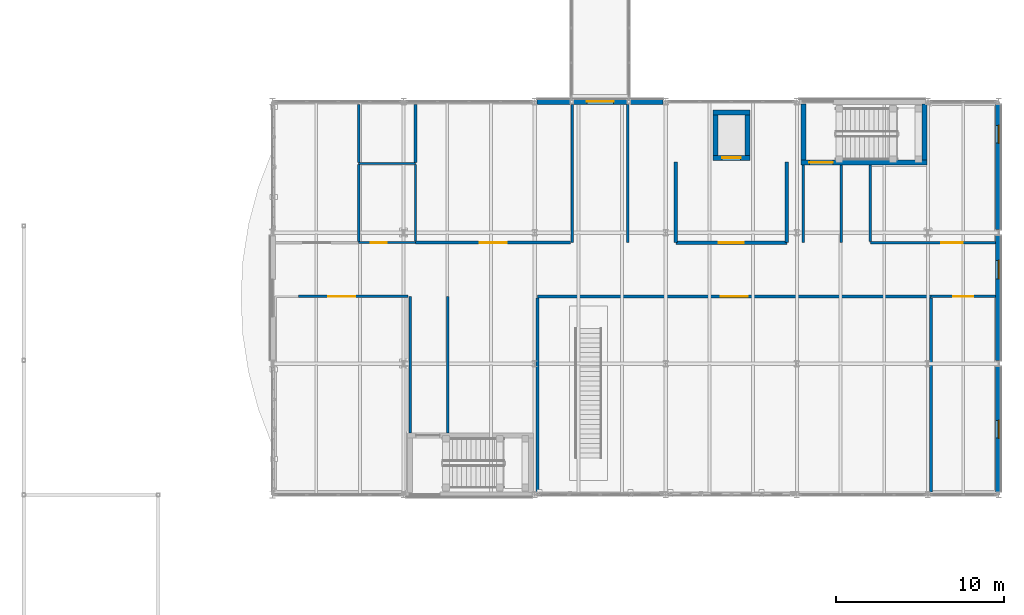
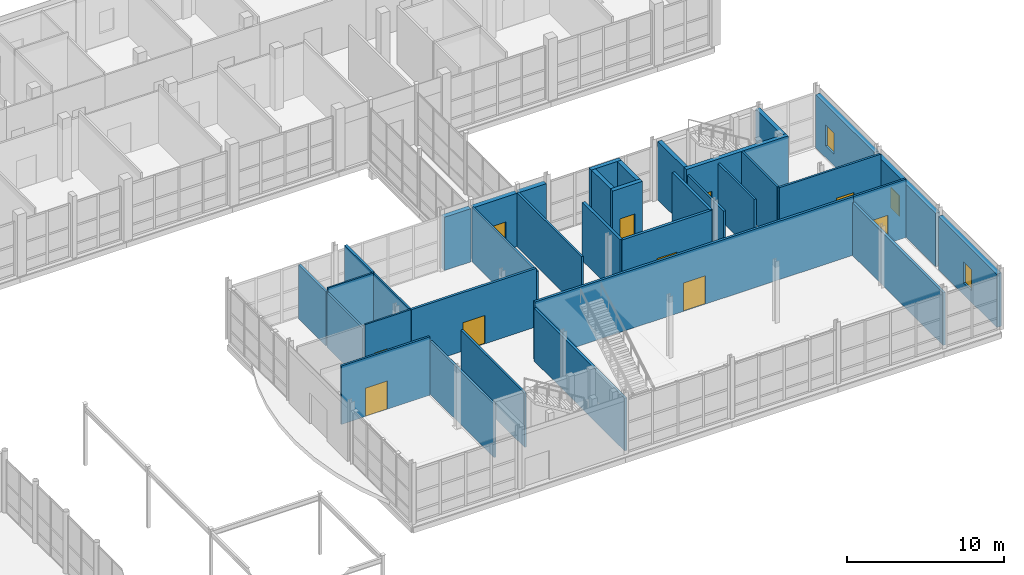
# One storey, part 103 of 131: 36 walls, 10 doors, 3 windows, 13 openings.
"""IFC4 building model written with IfcOpenShell, lengths in metres."""

from ifc_helpers import new_model, si_unit, direction, frame, frame_2d, origin, place, context, subcontext, project, spatial, rectangle, extrude, material, layer, layer_set, type_object, element, fill, save


model = new_model("IFC4")

# Units and contexts
model_context = context("Model", 3, precision=1e-05, world=origin(), true_north=direction((0.0, 1.0)))
body_context = subcontext(model_context, "Body", "Model", "MODEL_VIEW")
ifc_project = project(units=[si_unit("LENGTHUNIT", "METRE"), si_unit("AREAUNIT", "SQUARE_METRE"), si_unit("VOLUMEUNIT", "CUBIC_METRE"), si_unit("PLANEANGLEUNIT", "RADIAN"), si_unit("MASSUNIT", "GRAM", prefix="KILO")], contexts=[model_context])

# Site, building, storey
site_placement = place(None, origin())
site = spatial("IfcSite", under=ifc_project, at=site_placement, CompositionType="ELEMENT")
building_placement = place(site_placement, origin())
building = spatial("IfcBuilding", under=site, at=building_placement, Name="Celorna Specialist Clinic", CompositionType="ELEMENT")
storey_placement = place(building_placement, origin())
storey = spatial("IfcBuildingStorey", under=building, at=storey_placement, Name="L00", CompositionType="ELEMENT", Elevation=0.0)

# Wall
ifc_material_1 = material(Name="Pero Pinheiro Lioz limestone insulated masonry", Category="masonry")
ifc_layer_1 = layer(ifc_material_1, 0.340087890625, Name="Pero Pinheiro Lioz limestone insulated masonry")
ifc_layer_set_1 = layer_set([ifc_layer_1], Name="Pero Pinheiro Lioz limestone insulated masonry")
wall_type_1 = type_object("IfcWallType", Name="WT-07", PredefinedType="STANDARD", material=ifc_layer_set_1)
wall_1_placement = place(storey_placement, frame((140.550048828125, 83.39990234375, 0.0), z_axis=(0.0, 0.0, 1.0), x_axis=(1.0, 0.0, 0.0)))
element("IfcWall", 1, at=wall_1_placement, inside=storey, type_object=wall_type_1, Name="External facade wall WT-07 #142", PredefinedType="STANDARD", context=body_context, shape_type="SweptSolid", body=[
    extrude(rectangle(XDim=1.949951171875, YDim=0.340087890625, at=frame_2d((0.97509765625, 0.0))), origin(), (0.0, 0.0, 1.0), 4.139892578125),
])

# Wall, opening, door
wall_2_placement = place(storey_placement, frame((142.699951171875, 83.39990234375, 0.0), z_axis=(0.0, 0.0, 1.0), x_axis=(1.0, 0.0, 0.0)))
wall_2 = element("IfcWall", 2, at=wall_2_placement, inside=storey, type_object=wall_type_1, Name="External facade wall WT-07 #143", PredefinedType="STANDARD", context=body_context, shape_type="SweptSolid", body=[
    extrude(rectangle(XDim=3.199951171875, YDim=0.340087890625, at=frame_2d((1.60009765625, 0.0))), origin(), (0.0, 0.0, 1.0), 4.139892578125),
])
opening_1_placement = place(wall_2_placement, frame((0.800048828125, 0.0, 0.0)))
opening_1 = element("IfcOpeningElement", 3, at=opening_1_placement, cuts=wall_2, Name="Opening DR-12", PredefinedType="OPENING", context=body_context, shape_type="SweptSolid", body=[
    extrude(rectangle(XDim=1.60009765625, YDim=2.199951171875, at=frame_2d((0.800048828125, 1.10009765625))), frame((0.0, 0.179931640625, 0.0), z_axis=(0.0, -1.0, 0.0), x_axis=(1.0, 0.0, 0.0)), (0.0, 0.0, 1.0), 0.360107421875),
])
ifc_material_2 = material(Name="Corridor cross-compartment pair door")
door_type_1 = type_object("IfcDoorType", Name="DR-12", OperationType="DOUBLE_DOOR_SINGLE_SWING", PredefinedType="DOOR", material=ifc_material_2)
door_1_placement = place(opening_1_placement, origin())
door_1 = element("IfcDoor", 4, at=door_1_placement, inside=storey, type_object=door_type_1, Name="Bridge BR-05 south/west portal door L00", OperationType="DOUBLE_DOOR_SINGLE_SWING", OverallHeight=2.199951171875, OverallWidth=1.60009765625, PredefinedType="DOOR", context=body_context, shape_type="SweptSolid", body=[
    extrude(rectangle(XDim=1.60009765625, YDim=2.199951171875, at=frame_2d((0.800048828125, 1.10009765625))), frame((0.0, 0.02490234375, 0.0), z_axis=(0.0, -1.0, 0.0), x_axis=(1.0, 0.0, 0.0)), (0.0, 0.0, 1.0), 0.050048828125),
])
fill(opening_1, door_1)

# Wall
wall_3_placement = place(storey_placement, frame((146.10009765625, 83.39990234375, 0.0), z_axis=(0.0, 0.0, 1.0), x_axis=(1.0, 0.0, 0.0)))
element("IfcWall", 5, at=wall_3_placement, inside=storey, type_object=wall_type_1, Name="External facade wall WT-07 #144", PredefinedType="STANDARD", context=body_context, shape_type="SweptSolid", body=[
    extrude(rectangle(XDim=1.949951171875, YDim=0.340087890625, at=frame_2d((0.97509765625, 0.0))), origin(), (0.0, 0.0, 1.0), 4.139892578125),
])

# Wall, opening, window
wall_4_placement = place(storey_placement, frame((168.0, 67.6201171875, 0.0), z_axis=(0.0, 0.0, 1.0), x_axis=(0.0, -1.0, 0.0)))
wall_4 = element("IfcWall", 6, at=wall_4_placement, inside=storey, type_object=wall_type_1, Name="External facade wall WT-07 #147", PredefinedType="STANDARD", context=body_context, shape_type="SweptSolid", body=[
    extrude(rectangle(XDim=7.440185546875, YDim=0.340087890625, at=frame_2d((3.72021484375, 0.0))), origin(), (0.0, 0.0, 1.0), 4.139892578125),
])
opening_2_placement = place(wall_4_placement, frame((3.195068359375, 0.0, 0.89990234375)))
opening_2 = element("IfcOpeningElement", 7, at=opening_2_placement, cuts=wall_4, Name="Opening WN-21", PredefinedType="OPENING", context=body_context, shape_type="SweptSolid", body=[
    extrude(rectangle(XDim=1.050048828125, YDim=1.64990234375, at=frame_2d((0.52490234375, 0.824951171875))), frame((0.0, 0.179931640625, 0.0), z_axis=(0.0, -1.0, 0.0), x_axis=(1.0, 0.0, 0.0)), (0.0, 0.0, 1.0), 0.360107421875),
])
ifc_material_3 = material(Name="Thermally broken aluminium triple-glazed window", Category="aluminium")
window_type_1 = type_object("IfcWindowType", Name="WN-21", PartitioningType="SINGLE_PANEL", PredefinedType="WINDOW", material=ifc_material_3)
window_1_placement = place(opening_2_placement, origin())
window_1 = element("IfcWindow", 8, at=window_1_placement, inside=storey, type_object=window_type_1, Name="Facade window WN-21 #51", OverallHeight=1.64990234375, OverallWidth=1.050048828125, PartitioningType="SINGLE_PANEL", PredefinedType="WINDOW", context=body_context, shape_type="SweptSolid", body=[
    extrude(rectangle(XDim=1.050048828125, YDim=1.64990234375, at=frame_2d((0.52490234375, 0.824951171875))), frame((0.0, 0.030029296875, 0.0), z_axis=(0.0, -1.0, 0.0), x_axis=(1.0, 0.0, 0.0)), (0.0, 0.0, 1.0), 0.06005859375),
])
fill(opening_2, window_1)

wall_5_placement = place(storey_placement, frame((168.0, 75.419921875, 0.0), z_axis=(0.0, 0.0, 1.0), x_axis=(0.0, -1.0, 0.0)))
wall_5 = element("IfcWall", 9, at=wall_5_placement, inside=storey, type_object=wall_type_1, Name="External facade wall WT-07 #148", PredefinedType="STANDARD", context=body_context, shape_type="SweptSolid", body=[
    extrude(rectangle(XDim=7.43994140625, YDim=0.340087890625, at=frame_2d((3.719970703125, 0.0))), origin(), (0.0, 0.0, 1.0), 4.139892578125),
])
opening_3_placement = place(wall_5_placement, frame((1.469970703125, 0.0, 0.89990234375)))
opening_3 = element("IfcOpeningElement", 10, at=opening_3_placement, cuts=wall_5, Name="Opening WN-03", PredefinedType="OPENING", context=body_context, shape_type="SweptSolid", body=[
    extrude(rectangle(XDim=1.10009765625, YDim=1.60009765625, at=frame_2d((0.550048828125, 0.800048828125))), frame((0.0, 0.179931640625, 0.0), z_axis=(0.0, -1.0, 0.0), x_axis=(1.0, 0.0, 0.0)), (0.0, 0.0, 1.0), 0.360107421875),
])
window_type_2 = type_object("IfcWindowType", Name="WN-03", PartitioningType="SINGLE_PANEL", PredefinedType="WINDOW", material=ifc_material_3)
window_2_placement = place(opening_3_placement, origin())
window_2 = element("IfcWindow", 11, at=window_2_placement, inside=storey, type_object=window_type_2, Name="Facade window WN-03 #52", OverallHeight=1.60009765625, OverallWidth=1.10009765625, PartitioningType="SINGLE_PANEL", PredefinedType="WINDOW", context=body_context, shape_type="SweptSolid", body=[
    extrude(rectangle(XDim=1.10009765625, YDim=1.60009765625, at=frame_2d((0.550048828125, 0.800048828125))), frame((0.0, 0.030029296875, 0.0), z_axis=(0.0, -1.0, 0.0), x_axis=(1.0, 0.0, 0.0)), (0.0, 0.0, 1.0), 0.06005859375),
])
fill(opening_3, window_2)

wall_6_placement = place(storey_placement, frame((168.0, 83.219970703125, 0.0), z_axis=(0.0, 0.0, 1.0), x_axis=(0.0, -1.0, 0.0)))
wall_6 = element("IfcWall", 12, at=wall_6_placement, inside=storey, type_object=wall_type_1, Name="External facade wall WT-07 #149", PredefinedType="STANDARD", context=body_context, shape_type="SweptSolid", body=[
    extrude(rectangle(XDim=7.43994140625, YDim=0.340087890625, at=frame_2d((3.719970703125, 0.0))), origin(), (0.0, 0.0, 1.0), 4.139892578125),
])
opening_4_placement = place(wall_6_placement, frame((1.2451171875, 0.0, 0.89990234375)))
opening_4 = element("IfcOpeningElement", 13, at=opening_4_placement, cuts=wall_6, Name="Opening WN-21", PredefinedType="OPENING", context=body_context, shape_type="SweptSolid", body=[
    extrude(rectangle(XDim=1.050048828125, YDim=1.64990234375, at=frame_2d((0.52490234375, 0.824951171875))), frame((0.0, 0.179931640625, 0.0), z_axis=(0.0, -1.0, 0.0), x_axis=(1.0, 0.0, 0.0)), (0.0, 0.0, 1.0), 0.360107421875),
])
window_3_placement = place(opening_4_placement, origin())
window_3 = element("IfcWindow", 14, at=window_3_placement, inside=storey, type_object=window_type_1, Name="Facade window WN-21 #53", OverallHeight=1.64990234375, OverallWidth=1.050048828125, PartitioningType="SINGLE_PANEL", PredefinedType="WINDOW", context=body_context, shape_type="SweptSolid", body=[
    extrude(rectangle(XDim=1.050048828125, YDim=1.64990234375, at=frame_2d((0.52490234375, 0.824951171875))), frame((0.0, 0.030029296875, 0.0), z_axis=(0.0, -1.0, 0.0), x_axis=(1.0, 0.0, 0.0)), (0.0, 0.0, 1.0), 0.06005859375),
])
fill(opening_4, window_3)

# Wall, opening, door
ifc_material_4 = material(Name="Concrete C35/45", Category="concrete")
ifc_layer_2 = layer(ifc_material_4, 0.300048828125, Name="Concrete C35/45")
ifc_layer_set_2 = layer_set([ifc_layer_2], Name="Concrete C35/45")
wall_type_2 = type_object("IfcWallType", Name="WT-08", PredefinedType="SHEAR", material=ifc_layer_set_2)
wall_7_placement = place(storey_placement, frame((156.239990234375, 79.77001953125, 0.0), z_axis=(0.0, 0.0, 1.0), x_axis=(1.0, 0.0, 0.0)))
wall_7 = element("IfcWall", 15, at=wall_7_placement, inside=storey, type_object=wall_type_2, Name="Stair ST-12 RC core wall L00 south", PredefinedType="SHEAR", context=body_context, shape_type="SweptSolid", body=[
    extrude(rectangle(XDim=7.5, YDim=0.300048828125, at=frame_2d((3.75, 0.0))), origin(), (0.0, 0.0, 1.0), 4.5400390625),
])
opening_5_placement = place(wall_7_placement, frame((0.5, 0.0, 0.0)))
opening_5 = element("IfcOpeningElement", 16, at=opening_5_placement, cuts=wall_7, Name="Opening DR-10", PredefinedType="OPENING", context=body_context, shape_type="SweptSolid", body=[
    extrude(rectangle(XDim=1.39990234375, YDim=2.199951171875, at=frame_2d((0.699951171875, 1.10009765625))), frame((0.0, 0.159912109375, 0.0), z_axis=(0.0, -1.0, 0.0), x_axis=(1.0, 0.0, 0.0)), (0.0, 0.0, 1.0), 0.320068359375),
])
ifc_material_5 = material(Name="Protected exit stair fire door")
door_type_2 = type_object("IfcDoorType", Name="DR-10", OperationType="NOTDEFINED", PredefinedType="DOOR", material=ifc_material_5)
door_2_placement = place(opening_5_placement, origin())
door_2 = element("IfcDoor", 17, at=door_2_placement, inside=storey, type_object=door_type_2, Name="Protected exit stair door ST-12 L00", OperationType="SINGLE_SWING_RIGHT", OverallHeight=2.199951171875, OverallWidth=1.39990234375, PredefinedType="DOOR", context=body_context, shape_type="SweptSolid", body=[
    extrude(rectangle(XDim=1.39990234375, YDim=2.199951171875, at=frame_2d((0.699951171875, 1.10009765625))), frame((0.0, 0.02490234375, 0.0), z_axis=(0.0, -1.0, 0.0), x_axis=(1.0, 0.0, 0.0)), (0.0, 0.0, 1.0), 0.050048828125),
])
fill(opening_5, door_2)

# Walls
for number, where, z_axis, x_axis, name in (
    (18, (156.389892578125, 83.25, 0.0), (0.0, 0.0, 1.0), (0.0, -1.0, 0.0), "Stair ST-12 RC core wall L00 west"),
    (19, (163.590087890625, 79.919921875, 0.0), (0.0, 0.0, 1.0), (0.0, 1.0, 0.0), "Stair ST-12 RC core wall L00 east"),
):
    element("IfcWall", number, at=place(storey_placement, frame(where, z_axis=z_axis, x_axis=x_axis)), inside=storey, type_object=wall_type_2, Name=name, PredefinedType="SHEAR", context=body_context, shape_type="SweptSolid", body=[
        extrude(rectangle(XDim=3.330078125, YDim=0.300048828125, at=frame_2d((1.6650390625, 0.0))), origin(), (0.0, 0.0, 1.0), 4.5400390625),
    ])

# Wall, opening, door
wall_8_placement = place(storey_placement, frame((151.0, 80.050048828125, 0.0), z_axis=(0.0, 0.0, 1.0), x_axis=(1.0, 0.0, 0.0)))
wall_8 = element("IfcWall", 20, at=wall_8_placement, inside=storey, type_object=wall_type_2, Name="Lift LF-09 RC shaft wall L00", PredefinedType="SHEAR", context=body_context, shape_type="SweptSolid", body=[
    extrude(rectangle(XDim=2.199951171875, YDim=0.300048828125, at=frame_2d((1.10009765625, 0.0))), origin(), (0.0, 0.0, 1.0), 4.5400390625),
])
opening_6_placement = place(wall_8_placement, frame((0.550048828125, 0.0, 0.0)))
opening_6 = element("IfcOpeningElement", 21, at=opening_6_placement, cuts=wall_8, Name="Opening LD-01", PredefinedType="OPENING", context=body_context, shape_type="SweptSolid", body=[
    extrude(rectangle(XDim=1.10009765625, YDim=2.199951171875, at=frame_2d((0.550048828125, 1.10009765625))), frame((0.0, 0.159912109375, 0.0), z_axis=(0.0, -1.0, 0.0), x_axis=(1.0, 0.0, 0.0)), (0.0, 0.0, 1.0), 0.320068359375),
])
ifc_material_6 = material(Name="Stainless steel lift landing sliding door", Category="steel")
door_type_3 = type_object("IfcDoorType", Name="LD-01", OperationType="DOUBLE_DOOR_SLIDING", PredefinedType="DOOR", material=ifc_material_6)
door_3_placement = place(opening_6_placement, origin())
door_3 = element("IfcDoor", 22, at=door_3_placement, inside=storey, type_object=door_type_3, Name="Lift LF-09 sliding landing door L00", OperationType="DOUBLE_DOOR_SLIDING", OverallHeight=2.199951171875, OverallWidth=1.10009765625, PredefinedType="DOOR", context=body_context, shape_type="SweptSolid", body=[
    extrude(rectangle(XDim=1.10009765625, YDim=2.199951171875, at=frame_2d((0.550048828125, 1.10009765625))), frame((0.0, 0.02490234375, 0.0), z_axis=(0.0, -1.0, 0.0), x_axis=(1.0, 0.0, 0.0)), (0.0, 0.0, 1.0), 0.050048828125),
])
fill(opening_6, door_3)

# Walls
wall_9_placement = place(storey_placement, frame((153.199951171875, 82.75, 0.0), z_axis=(0.0, 0.0, 1.0), x_axis=(-1.0, 0.0, 0.0)))
element("IfcWall", 23, at=wall_9_placement, inside=storey, type_object=wall_type_2, Name="Lift LF-09 RC shaft wall L00", PredefinedType="SHEAR", context=body_context, shape_type="SweptSolid", body=[
    extrude(rectangle(XDim=2.199951171875, YDim=0.300048828125, at=frame_2d((1.10009765625, 0.0))), origin(), (0.0, 0.0, 1.0), 4.5400390625),
])
for number, where, z_axis, x_axis, name in (
    (24, (151.14990234375, 82.60009765625, 0.0), (0.0, 0.0, 1.0), (0.0, -1.0, 0.0), "Lift LF-09 RC shaft wall L00"),
    (25, (153.050048828125, 80.199951171875, 0.0), (0.0, 0.0, 1.0), (0.0, 1.0, 0.0), "Lift LF-09 RC shaft wall L00"),
):
    element("IfcWall", number, at=place(storey_placement, frame(where, z_axis=z_axis, x_axis=x_axis)), inside=storey, type_object=wall_type_2, Name=name, PredefinedType="SHEAR", context=body_context, shape_type="SweptSolid", body=[
        extrude(rectangle(XDim=2.400146484375, YDim=0.300048828125, at=frame_2d((1.2001953125, 0.0))), origin(), (0.0, 0.0, 1.0), 4.5400390625),
    ])

# Wall, opening, door
ifc_layer_3 = layer(ifc_material_4, 0.199951171875, Name="Concrete C35/45")
ifc_layer_set_3 = layer_set([ifc_layer_3], Name="Concrete C35/45")
wall_type_3 = type_object("IfcWallType", Name="WT-12", PredefinedType="SOLIDWALL", material=ifc_layer_set_3)
wall_10_placement = place(storey_placement, frame((148.800048828125, 75.0, 0.0), z_axis=(0.0, 0.0, 1.0), x_axis=(1.0, 0.0, 0.0)))
wall_10 = element("IfcWall", 26, at=wall_10_placement, inside=storey, type_object=wall_type_3, Name="Lift lobby wall LF-09 L00", PredefinedType="SOLIDWALL", context=body_context, shape_type="SweptSolid", body=[
    extrude(rectangle(XDim=6.599853515625, YDim=0.199951171875, at=frame_2d((3.2998046875, 0.0))), origin(), (0.0, 0.0, 1.0), 4.5400390625),
])
opening_7_placement = place(wall_10_placement, frame((2.550048828125, 0.0, 0.0)))
opening_7 = element("IfcOpeningElement", 27, at=opening_7_placement, cuts=wall_10, Name="Opening DR-11", PredefinedType="OPENING", context=body_context, shape_type="SweptSolid", body=[
    extrude(rectangle(XDim=1.5, YDim=2.199951171875, at=frame_2d((0.75, 1.10009765625))), frame((0.0, 0.10986328125, 0.0), z_axis=(0.0, -1.0, 0.0), x_axis=(1.0, 0.0, 0.0)), (0.0, 0.0, 1.0), 0.219970703125),
])
ifc_material_7 = material(Name="Firefighting lobby double fire door")
door_type_4 = type_object("IfcDoorType", Name="DR-11", OperationType="DOUBLE_DOOR_SINGLE_SWING", PredefinedType="DOOR", material=ifc_material_7)
door_4_placement = place(opening_7_placement, origin())
door_4 = element("IfcDoor", 28, at=door_4_placement, inside=storey, type_object=door_type_4, Name="Lift lobby fire door LF-09 L00", OperationType="DOUBLE_DOOR_SINGLE_SWING", OverallHeight=2.199951171875, OverallWidth=1.5, PredefinedType="DOOR", context=body_context, shape_type="SweptSolid", body=[
    extrude(rectangle(XDim=1.5, YDim=2.199951171875, at=frame_2d((0.75, 1.10009765625))), frame((0.0, 0.02490234375, 0.0), z_axis=(0.0, -1.0, 0.0), x_axis=(1.0, 0.0, 0.0)), (0.0, 0.0, 1.0), 0.050048828125),
])
fill(opening_7, door_4)

# Walls
for number, where, z_axis, x_axis, name in (
    (29, (148.800048828125, 79.800048828125, 0.0), (0.0, 0.0, 1.0), (0.0, -1.0, 0.0), "Lift lobby wall LF-09 L00"),
    (30, (155.39990234375, 75.0, 0.0), (0.0, 0.0, 1.0), (0.0, 1.0, 0.0), "Lift lobby wall LF-09 L00"),
):
    element("IfcWall", number, at=place(storey_placement, frame(where, z_axis=z_axis, x_axis=x_axis)), inside=storey, type_object=wall_type_3, Name=name, PredefinedType="SOLIDWALL", context=body_context, shape_type="SweptSolid", body=[
        extrude(rectangle(XDim=4.800048828125, YDim=0.199951171875, at=frame_2d((2.39990234375, 0.0))), origin(), (0.0, 0.0, 1.0), 4.5400390625),
    ])

# Wall, opening, door
ifc_material_8 = material(Name="Acoustic masonry clinical partition", Category="masonry")
ifc_layer_4 = layer(ifc_material_8, 0.179931640625, Name="Acoustic masonry clinical partition")
ifc_layer_set_4 = layer_set([ifc_layer_4], Name="Acoustic masonry clinical partition")
wall_type_4 = type_object("IfcWallType", Name="WT-13", PredefinedType="PARTITIONING", material=ifc_layer_set_4)
wall_11_placement = place(storey_placement, frame((163.969970703125, 71.800048828125, 0.0), z_axis=(0.0, 0.0, 1.0), x_axis=(-1.0, 0.0, 0.0)))
wall_11 = element("IfcWall", 31, at=wall_11_placement, inside=storey, type_object=wall_type_4, Name="Interior partition WT-13 L00-040", PredefinedType="PARTITIONING", context=body_context, shape_type="SweptSolid", body=[
    extrude(rectangle(XDim=23.39990234375, YDim=0.179931640625, at=frame_2d((11.699951171875, 0.0))), origin(), (0.0, 0.0, 1.0), 4.5400390625),
])
opening_8_placement = place(wall_11_placement, frame((10.89990234375, 0.0, 0.0)))
opening_8 = element("IfcOpeningElement", 32, at=opening_8_placement, cuts=wall_11, Name="Opening DR-12", PredefinedType="OPENING", context=body_context, shape_type="SweptSolid", body=[
    extrude(rectangle(XDim=1.60009765625, YDim=2.199951171875, at=frame_2d((0.800048828125, 1.10009765625))), frame((0.0, 0.099853515625, 0.0), z_axis=(0.0, -1.0, 0.0), x_axis=(1.0, 0.0, 0.0)), (0.0, 0.0, 1.0), 0.199951171875),
])
door_5_placement = place(opening_8_placement, origin())
door_5 = element("IfcDoor", 33, at=door_5_placement, inside=storey, type_object=door_type_1, Name="Hydrotherapy Pool Hall door L00-040", OperationType="DOUBLE_DOOR_SINGLE_SWING", OverallHeight=2.199951171875, OverallWidth=1.60009765625, PredefinedType="DOOR", context=body_context, shape_type="SweptSolid", body=[
    extrude(rectangle(XDim=1.60009765625, YDim=2.199951171875, at=frame_2d((0.800048828125, 1.10009765625))), frame((0.0, 0.02490234375, 0.0), z_axis=(0.0, -1.0, 0.0), x_axis=(1.0, 0.0, 0.0)), (0.0, 0.0, 1.0), 0.050048828125),
])
fill(opening_8, door_5)

wall_12_placement = place(storey_placement, frame((133.320068359375, 75.0, 0.0), z_axis=(0.0, 0.0, 1.0), x_axis=(1.0, 0.0, 0.0)))
wall_12 = element("IfcWall", 34, at=wall_12_placement, inside=storey, type_object=wall_type_4, Name="Interior partition WT-13 L00-044", PredefinedType="PARTITIONING", context=body_context, shape_type="SweptSolid", body=[
    extrude(rectangle(XDim=9.2099609375, YDim=0.179931640625, at=frame_2d((4.60498046875, 0.0))), origin(), (0.0, 0.0, 1.0), 4.5400390625),
])
opening_9_placement = place(wall_12_placement, frame((3.804931640625, 0.0, 0.0)))
opening_9 = element("IfcOpeningElement", 35, at=opening_9_placement, cuts=wall_12, Name="Opening DR-12", PredefinedType="OPENING", context=body_context, shape_type="SweptSolid", body=[
    extrude(rectangle(XDim=1.60009765625, YDim=2.199951171875, at=frame_2d((0.800048828125, 1.10009765625))), frame((0.0, 0.099853515625, 0.0), z_axis=(0.0, -1.0, 0.0), x_axis=(1.0, 0.0, 0.0)), (0.0, 0.0, 1.0), 0.199951171875),
])
door_6_placement = place(opening_9_placement, origin())
door_6 = element("IfcDoor", 36, at=door_6_placement, inside=storey, type_object=door_type_1, Name="Hydrotherapy Pool Hall door L00-044", OperationType="DOUBLE_DOOR_SINGLE_SWING", OverallHeight=2.199951171875, OverallWidth=1.60009765625, PredefinedType="DOOR", context=body_context, shape_type="SweptSolid", body=[
    extrude(rectangle(XDim=1.60009765625, YDim=2.199951171875, at=frame_2d((0.800048828125, 1.10009765625))), frame((0.0, 0.02490234375, 0.0), z_axis=(0.0, -1.0, 0.0), x_axis=(1.0, 0.0, 0.0)), (0.0, 0.0, 1.0), 0.050048828125),
])
fill(opening_9, door_6)

# Walls
for number, where, z_axis, x_axis, name in (
    (37, (140.570068359375, 60.169921875, 0.0), (0.0, 0.0, 1.0), (0.0, 1.0, 0.0), "Room dividing partition WT-13 L00-040"),
    (38, (163.969970703125, 60.169921875, 0.0), (0.0, 0.0, 1.0), (0.0, 1.0, 0.0), "Room dividing partition WT-13 L00-040"),
):
    element("IfcWall", number, at=place(storey_placement, frame(where, z_axis=z_axis, x_axis=x_axis)), inside=storey, type_object=wall_type_4, Name=name, PredefinedType="PARTITIONING", context=body_context, shape_type="SweptSolid", body=[
        extrude(rectangle(XDim=11.5400390625, YDim=0.179931640625, at=frame_2d((5.77001953125, 0.0))), origin(), (0.0, 0.0, 1.0), 4.090087890625),
    ])
wall_13_placement = place(storey_placement, frame((133.320068359375, 79.760009765625, 0.0), z_axis=(0.0, 0.0, 1.0), x_axis=(0.0, 1.0, 0.0)))
element("IfcWall", 39, at=wall_13_placement, inside=storey, type_object=wall_type_4, Name="Room dividing partition WT-13 L00-044", PredefinedType="PARTITIONING", context=body_context, shape_type="SweptSolid", body=[
    extrude(rectangle(XDim=3.469970703125, YDim=0.179931640625, at=frame_2d((1.73486328125, 0.0))), origin(), (0.0, 0.0, 1.0), 4.5400390625),
])
ifc_material_9 = material(Name="Fire-rated gypsum board partition")
ifc_layer_5 = layer(ifc_material_9, 0.14990234375, Name="Fire-rated gypsum board partition")
ifc_layer_set_5 = layer_set([ifc_layer_5], Name="Fire-rated gypsum board partition")
wall_type_5 = type_object("IfcWallType", Name="WT-14", PredefinedType="PARTITIONING", material=ifc_layer_set_5)
wall_14_placement = place(storey_placement, frame((156.389892578125, 75.0, 0.0), z_axis=(0.0, 0.0, 1.0), x_axis=(0.0, 1.0, 0.0)))
element("IfcWall", 40, at=wall_14_placement, inside=storey, type_object=wall_type_5, Name="Corridor spur partition WT-14", PredefinedType="PARTITIONING", context=body_context, shape_type="SweptSolid", body=[
    extrude(rectangle(XDim=4.6201171875, YDim=0.14990234375, at=frame_2d((2.31005859375, 0.0))), origin(), (0.0, 0.0, 1.0), 4.090087890625),
])
wall_15_placement = place(storey_placement, frame((158.639892578125, 75.0, 0.0), z_axis=(0.0, 0.0, 1.0), x_axis=(0.0, 1.0, 0.0)))
element("IfcWall", 41, at=wall_15_placement, inside=storey, type_object=wall_type_5, Name="Corridor spur partition WT-14", PredefinedType="PARTITIONING", context=body_context, shape_type="SweptSolid", body=[
    extrude(rectangle(XDim=4.6201171875, YDim=0.14990234375, at=frame_2d((2.31005859375, 0.0))), origin(), (0.0, 0.0, 1.0), 4.2099609375),
])
wall_16_placement = place(storey_placement, frame((132.989990234375, 63.679931640625, 0.0), z_axis=(0.0, 0.0, 1.0), x_axis=(0.0, 1.0, 0.0)))
element("IfcWall", 42, at=wall_16_placement, inside=storey, type_object=wall_type_5, Name="Corridor spur partition WT-14", PredefinedType="PARTITIONING", context=body_context, shape_type="SweptSolid", body=[
    extrude(rectangle(XDim=8.1201171875, YDim=0.14990234375, at=frame_2d((4.06005859375, 0.0))), origin(), (0.0, 0.0, 1.0), 4.139892578125),
])
wall_17_placement = place(storey_placement, frame((135.239990234375, 63.679931640625, 0.0), z_axis=(0.0, 0.0, 1.0), x_axis=(0.0, 1.0, 0.0)))
element("IfcWall", 43, at=wall_17_placement, inside=storey, type_object=wall_type_5, Name="Corridor spur partition WT-14", PredefinedType="PARTITIONING", context=body_context, shape_type="SweptSolid", body=[
    extrude(rectangle(XDim=8.1201171875, YDim=0.14990234375, at=frame_2d((4.06005859375, 0.0))), origin(), (0.0, 0.0, 1.0), 4.2099609375),
])
for number, where, z_axis, x_axis, name in (
    (44, (142.64990234375, 75.0, 0.0), (0.0, 0.0, 1.0), (0.0, 1.0, 0.0), "Corridor spur partition WT-14"),
    (45, (145.949951171875, 75.0, 0.0), (0.0, 0.0, 1.0), (0.0, 1.0, 0.0), "Corridor spur partition WT-14"),
):
    element("IfcWall", number, at=place(storey_placement, frame(where, z_axis=z_axis, x_axis=x_axis)), inside=storey, type_object=wall_type_5, Name=name, PredefinedType="PARTITIONING", context=body_context, shape_type="SweptSolid", body=[
        extrude(rectangle(XDim=8.22998046875, YDim=0.14990234375, at=frame_2d((4.114990234375, 0.0))), origin(), (0.0, 0.0, 1.0), 4.2099609375),
    ])

# Wall, opening, door
wall_18_placement = place(storey_placement, frame((132.8701171875, 71.800048828125, 0.0), z_axis=(0.0, 0.0, 1.0), x_axis=(-1.0, 0.0, 0.0)))
wall_18 = element("IfcWall", 46, at=wall_18_placement, inside=storey, type_object=wall_type_5, Name="Interior partition WT-14 L00-039", PredefinedType="PARTITIONING", context=body_context, shape_type="SweptSolid", body=[
    extrude(rectangle(XDim=6.52001953125, YDim=0.14990234375, at=frame_2d((3.260009765625, 0.0))), origin(), (0.0, 0.0, 1.0), 4.5400390625),
])
opening_10_placement = place(wall_18_placement, frame((3.14990234375, 0.0, 0.0)))
opening_10 = element("IfcOpeningElement", 47, at=opening_10_placement, cuts=wall_18, Name="Opening DR-12", PredefinedType="OPENING", context=body_context, shape_type="SweptSolid", body=[
    extrude(rectangle(XDim=1.60009765625, YDim=2.199951171875, at=frame_2d((0.800048828125, 1.10009765625))), frame((0.0, 0.0849609375, 0.0), z_axis=(0.0, -1.0, 0.0), x_axis=(1.0, 0.0, 0.0)), (0.0, 0.0, 1.0), 0.169921875),
])
door_7_placement = place(opening_10_placement, origin())
door_7 = element("IfcDoor", 48, at=door_7_placement, inside=storey, type_object=door_type_1, Name="Rehabilitation Gym door L00-039", OperationType="DOUBLE_DOOR_SINGLE_SWING", OverallHeight=2.199951171875, OverallWidth=1.60009765625, PredefinedType="DOOR", context=body_context, shape_type="SweptSolid", body=[
    extrude(rectangle(XDim=1.60009765625, YDim=2.199951171875, at=frame_2d((0.800048828125, 1.10009765625))), frame((0.0, 0.02490234375, 0.0), z_axis=(0.0, -1.0, 0.0), x_axis=(1.0, 0.0, 0.0)), (0.0, 0.0, 1.0), 0.050048828125),
])
fill(opening_10, door_7)

wall_19_placement = place(storey_placement, frame((167.830078125, 71.800048828125, 0.0), z_axis=(0.0, 0.0, 1.0), x_axis=(-1.0, 0.0, 0.0)))
wall_19 = element("IfcWall", 49, at=wall_19_placement, inside=storey, type_object=wall_type_5, Name="Interior partition WT-14 L00-041", PredefinedType="PARTITIONING", context=body_context, shape_type="SweptSolid", body=[
    extrude(rectangle(XDim=3.860107421875, YDim=0.14990234375, at=frame_2d((1.93017578125, 0.0))), origin(), (0.0, 0.0, 1.0), 4.5400390625),
])
opening_11_placement = place(wall_19_placement, frame((1.330078125, 0.0, 0.0)))
opening_11 = element("IfcOpeningElement", 50, at=opening_11_placement, cuts=wall_19, Name="Opening DR-08", PredefinedType="OPENING", context=body_context, shape_type="SweptSolid", body=[
    extrude(rectangle(XDim=1.199951171875, YDim=2.199951171875, at=frame_2d((0.60009765625, 1.10009765625))), frame((0.0, 0.0849609375, 0.0), z_axis=(0.0, -1.0, 0.0), x_axis=(1.0, 0.0, 0.0)), (0.0, 0.0, 1.0), 0.169921875),
])
ifc_material_10 = material(Name="Stretcher-width clinical door")
door_type_5 = type_object("IfcDoorType", Name="DR-08", OperationType="NOTDEFINED", PredefinedType="DOOR", material=ifc_material_10)
door_8_placement = place(opening_11_placement, origin())
door_8 = element("IfcDoor", 51, at=door_8_placement, inside=storey, type_object=door_type_5, Name="Gait Analysis Treatment Room door L00-041", OperationType="SINGLE_SWING_LEFT", OverallHeight=2.199951171875, OverallWidth=1.199951171875, PredefinedType="DOOR", context=body_context, shape_type="SweptSolid", body=[
    extrude(rectangle(XDim=1.199951171875, YDim=2.199951171875, at=frame_2d((0.60009765625, 1.10009765625))), frame((0.0, 0.02490234375, 0.0), z_axis=(0.0, -1.0, 0.0), x_axis=(1.0, 0.0, 0.0)), (0.0, 0.0, 1.0), 0.050048828125),
])
fill(opening_11, door_8)

wall_20_placement = place(storey_placement, frame((160.3701171875, 75.0, 0.0), z_axis=(0.0, 0.0, 1.0), x_axis=(1.0, 0.0, 0.0)))
wall_20 = element("IfcWall", 52, at=wall_20_placement, inside=storey, type_object=wall_type_5, Name="Interior partition WT-14 L00-045", PredefinedType="PARTITIONING", context=body_context, shape_type="SweptSolid", body=[
    extrude(rectangle(XDim=7.4599609375, YDim=0.14990234375, at=frame_2d((3.72998046875, 0.0))), origin(), (0.0, 0.0, 1.0), 4.5400390625),
])
opening_12_placement = place(wall_20_placement, frame((4.208984375, 0.0, 0.0)))
opening_12 = element("IfcOpeningElement", 53, at=opening_12_placement, cuts=wall_20, Name="Opening DR-22", PredefinedType="OPENING", context=body_context, shape_type="SweptSolid", body=[
    extrude(rectangle(XDim=1.280029296875, YDim=2.25, at=frame_2d((0.64013671875, 1.125))), frame((0.0, 0.0849609375, 0.0), z_axis=(0.0, -1.0, 0.0), x_axis=(1.0, 0.0, 0.0)), (0.0, 0.0, 1.0), 0.169921875),
])
ifc_material_11 = material(Name="Diagnostic procedure room door")
door_type_6 = type_object("IfcDoorType", Name="DR-22", OperationType="NOTDEFINED", PredefinedType="DOOR", material=ifc_material_11)
door_9_placement = place(opening_12_placement, origin())
door_9 = element("IfcDoor", 54, at=door_9_placement, inside=storey, type_object=door_type_6, Name="Gait Analysis Treatment Room door L00-045", OperationType="SINGLE_SWING_LEFT", OverallHeight=2.25, OverallWidth=1.280029296875, PredefinedType="DOOR", context=body_context, shape_type="SweptSolid", body=[
    extrude(rectangle(XDim=1.280029296875, YDim=2.25, at=frame_2d((0.64013671875, 1.125))), frame((0.0, 0.02490234375, 0.0), z_axis=(0.0, -1.0, 0.0), x_axis=(1.0, 0.0, 0.0)), (0.0, 0.0, 1.0), 0.050048828125),
])
fill(opening_12, door_9)

# Walls
wall_21_placement = place(storey_placement, frame((129.919921875, 75.074951171875, 0.0), z_axis=(0.0, 0.0, 1.0), x_axis=(0.0, 1.0, 0.0)))
element("IfcWall", 55, at=wall_21_placement, inside=storey, type_object=wall_type_5, Name="Room dividing partition WT-14 L00-042", PredefinedType="PARTITIONING", context=body_context, shape_type="SweptSolid", body=[
    extrude(rectangle(XDim=4.56494140625, YDim=0.14990234375, at=frame_2d((2.282470703125, 0.0))), origin(), (0.0, 0.0, 1.0), 4.2099609375),
])
wall_22_placement = place(storey_placement, frame((129.919921875, 79.760009765625, 0.0), z_axis=(0.0, 0.0, 1.0), x_axis=(0.0, 1.0, 0.0)))
element("IfcWall", 56, at=wall_22_placement, inside=storey, type_object=wall_type_5, Name="Room dividing partition WT-14 L00-042", PredefinedType="PARTITIONING", context=body_context, shape_type="SweptSolid", body=[
    extrude(rectangle(XDim=3.469970703125, YDim=0.14990234375, at=frame_2d((1.73486328125, 0.0))), origin(), (0.0, 0.0, 1.0), 4.2099609375),
])
wall_23_placement = place(storey_placement, frame((160.3701171875, 75.074951171875, 0.0), z_axis=(0.0, 0.0, 1.0), x_axis=(0.0, 1.0, 0.0)))
element("IfcWall", 57, at=wall_23_placement, inside=storey, type_object=wall_type_5, Name="Room dividing partition WT-14 L00-045", PredefinedType="PARTITIONING", context=body_context, shape_type="SweptSolid", body=[
    extrude(rectangle(XDim=4.545166015625, YDim=0.14990234375, at=frame_2d((2.2724609375, 0.0))), origin(), (0.0, 0.0, 1.0), 4.5400390625),
])

# Wall, opening, door
ifc_material_12 = material(Name="Acoustic gypsum board partition")
ifc_layer_6 = layer(ifc_material_12, 0.1201171875, Name="Acoustic gypsum board partition")
ifc_layer_set_6 = layer_set([ifc_layer_6], Name="Acoustic gypsum board partition")
wall_type_6 = type_object("IfcWallType", Name="WT-15", PredefinedType="PARTITIONING", material=ifc_layer_set_6)
wall_24_placement = place(storey_placement, frame((129.919921875, 75.0, 0.0), z_axis=(0.0, 0.0, 1.0), x_axis=(1.0, 0.0, 0.0)))
wall_24 = element("IfcWall", 58, at=wall_24_placement, inside=storey, type_object=wall_type_6, Name="Interior partition WT-15 L00-043", PredefinedType="PARTITIONING", context=body_context, shape_type="SweptSolid", body=[
    extrude(rectangle(XDim=3.400146484375, YDim=0.1201171875, at=frame_2d((1.7001953125, 0.0))), origin(), (0.0, 0.0, 1.0), 4.5400390625),
])
opening_13_placement = place(wall_24_placement, frame((0.715087890625, 0.0, 0.0)))
opening_13 = element("IfcOpeningElement", 59, at=opening_13_placement, cuts=wall_24, Name="Opening DR-03", PredefinedType="OPENING", context=body_context, shape_type="SweptSolid", body=[
    extrude(rectangle(XDim=0.949951171875, YDim=2.10009765625, at=frame_2d((0.47509765625, 1.050048828125))), frame((0.0, 0.070068359375, 0.0), z_axis=(0.0, -1.0, 0.0), x_axis=(1.0, 0.0, 0.0)), (0.0, 0.0, 1.0), 0.14013671875),
])
ifc_material_13 = material(Name="Moisture-resistant accessible WC door")
door_type_7 = type_object("IfcDoorType", Name="DR-03", OperationType="NOTDEFINED", PredefinedType="DOOR", material=ifc_material_13)
door_10_placement = place(opening_13_placement, origin())
door_10 = element("IfcDoor", 60, at=door_10_placement, inside=storey, type_object=door_type_7, Name="Hydrotherapy Changing and Shower Room door L00-043", OperationType="SINGLE_SWING_LEFT", OverallHeight=2.10009765625, OverallWidth=0.949951171875, PredefinedType="DOOR", context=body_context, shape_type="SweptSolid", body=[
    extrude(rectangle(XDim=0.949951171875, YDim=2.10009765625, at=frame_2d((0.47509765625, 1.050048828125))), frame((0.0, 0.02490234375, 0.0), z_axis=(0.0, -1.0, 0.0), x_axis=(1.0, 0.0, 0.0)), (0.0, 0.0, 1.0), 0.050048828125),
])
fill(opening_13, door_10)

# Walls
wall_25_placement = place(storey_placement, frame((129.919921875, 79.699951171875, 0.0), z_axis=(0.0, 0.0, 1.0), x_axis=(1.0, 0.0, 0.0)))
element("IfcWall", 61, at=wall_25_placement, inside=storey, type_object=wall_type_6, Name="Sanitary suite rear partition L00-043", PredefinedType="PARTITIONING", context=body_context, shape_type="SweptSolid", body=[
    extrude(rectangle(XDim=3.400146484375, YDim=0.1201171875, at=frame_2d((1.7001953125, 0.0))), origin(), (0.0, 0.0, 1.0), 4.5400390625),
])
wall_26_placement = place(storey_placement, frame((133.320068359375, 75.090087890625, 0.0), z_axis=(0.0, 0.0, 1.0), x_axis=(0.0, 1.0, 0.0)))
element("IfcWall", 62, at=wall_26_placement, inside=storey, type_object=wall_type_6, Name="Room dividing partition WT-15 L00-043", PredefinedType="PARTITIONING", context=body_context, shape_type="SweptSolid", body=[
    extrude(rectangle(XDim=4.5498046875, YDim=0.1201171875, at=frame_2d((2.27490234375, 0.0))), origin(), (0.0, 0.0, 1.0), 4.5400390625),
])

save(model, "model.ifc")
